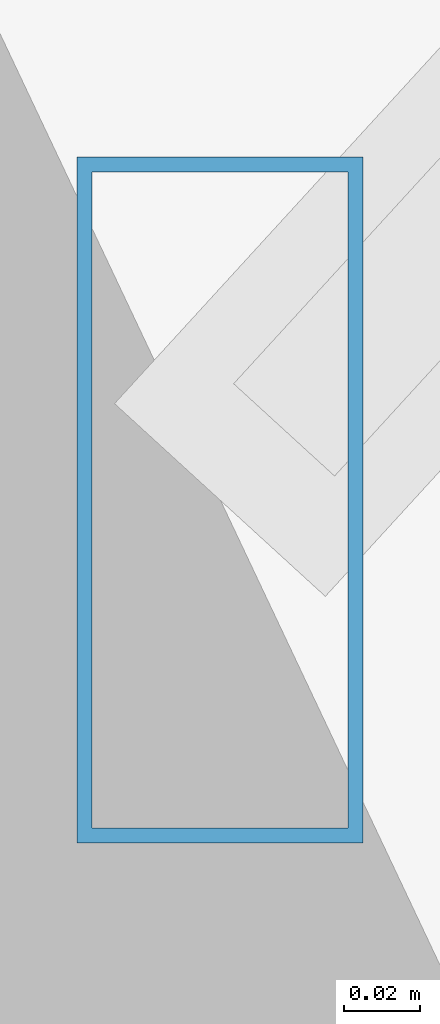
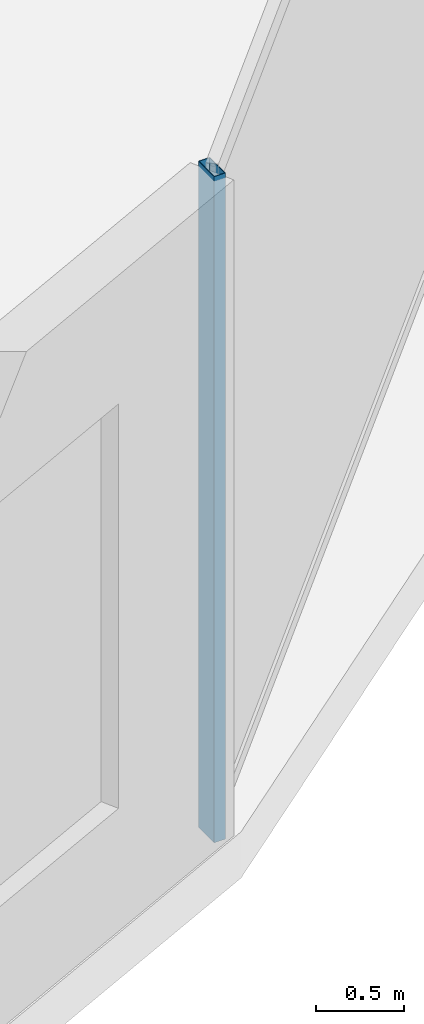
# One storey, part 12 of 32: 1 member, 1 element without a shape of its own.
"""IFC4 building model written with IfcOpenShell, lengths in metres."""

import ifcopenshell
import ifcopenshell.guid

model = None  # the IFC model being written
_history = None  # IfcOwnerHistory: only IFC2X3 demands one
_inside = {}  # id of a spatial element -> (the spatial element, [elements in it])
_under = {}  # id of a project, library or spatial element -> (it, [spatial elements below it])
_declared = {}  # id of a project -> (the project, [libraries it declares])
_typed = {}  # id of a type object -> (the type object, [elements of that type])
_made_of = {}  # id of a material, layer set ... -> (it, [elements and type objects made of it])


def new_model(schema):
    """Start an empty IFC model of exactly this schema.

    Asked for "IFC4X3", IfcOpenShell would pick the latest addendum, in which some entities
    have other attributes; the version numbers below select the first issue.
    IFC2X3 requires an IfcOwnerHistory on every rooted entity: one is made here for all.
    """
    global model, _history
    if schema == "IFC4X3":
        model = ifcopenshell.file(schema_version=(4, 3, 0, 0))
    else:
        model = ifcopenshell.file(schema=schema)
    _inside.clear()
    _under.clear()
    _declared.clear()
    _typed.clear()
    _made_of.clear()
    _history = None
    if model.schema == "IFC2X3":
        org = make("IfcOrganization", Name="unknown")
        user = make(
            "IfcPersonAndOrganization",
            ThePerson=make("IfcPerson", FamilyName="unknown"),
            TheOrganization=org,
        )
        app = make(
            "IfcApplication",
            ApplicationDeveloper=org,
            Version="unknown",
            ApplicationFullName="unknown",
            ApplicationIdentifier="unknown",
        )
        _history = make(
            "IfcOwnerHistory",
            OwningUser=user,
            OwningApplication=app,
            ChangeAction="ADDED",
            CreationDate=0,
        )
    return model


def make(cls, **values):
    """One entity of the class cls with the attributes given. An attribute that is None is left unset."""
    return model.create_entity(
        cls, **{name: value for name, value in values.items() if value is not None}
    )


def rooted(cls, **values):
    """An entity with a GlobalId (a new one), such as an element, a storey or a relation."""
    return make(cls, GlobalId=ifcopenshell.guid.new(), OwnerHistory=_history, **values)


def si_unit(unit_type, name, prefix=None):
    """IfcSIUnit, for example si_unit("LENGTHUNIT", "METRE", prefix="MILLI")."""
    return make("IfcSIUnit", UnitType=unit_type, Prefix=prefix, Name=name)


def assignment(units):
    """IfcUnitAssignment: the units of a project."""
    return None if units is None else make("IfcUnitAssignment", Units=units)


def point(xyz):
    """IfcCartesianPoint."""
    return None if xyz is None else make("IfcCartesianPoint", Coordinates=xyz)


def direction(xyz):
    """IfcDirection."""
    return None if xyz is None else make("IfcDirection", DirectionRatios=xyz)


def frame(location, z_axis=None, x_axis=None):
    """IfcAxis2Placement3D, a coordinate frame: its origin and axes. An axis left out is left unset."""
    return make(
        "IfcAxis2Placement3D",
        Location=point(location),
        Axis=direction(z_axis),
        RefDirection=direction(x_axis),
    )


def frame_2d(location, x_axis=None):
    """IfcAxis2Placement2D, a coordinate frame in the plane: its origin and x axis."""
    return make(
        "IfcAxis2Placement2D", Location=point(location), RefDirection=direction(x_axis)
    )


def origin():
    """The frame at (0, 0, 0) with its axes left unset."""
    return frame((0.0, 0.0, 0.0))


def origin_2d():
    """The frame at (0, 0) in the plane with its x axis left unset."""
    return frame_2d((0.0, 0.0))


def place(relative_to, where):
    """IfcLocalPlacement: puts the frame where relative to a parent placement (None: the world)."""
    return make(
        "IfcLocalPlacement", PlacementRelTo=relative_to, RelativePlacement=where
    )


def context(
    kind, dimensions, precision=None, world=None, true_north=None, identifier=None
):
    """IfcGeometricRepresentationContext, for example the 3D "Model" context."""
    return make(
        "IfcGeometricRepresentationContext",
        ContextIdentifier=identifier,
        ContextType=kind,
        CoordinateSpaceDimension=dimensions,
        Precision=precision,
        WorldCoordinateSystem=world,
        TrueNorth=true_north,
    )


def subcontext(parent, identifier, kind, view, scale=None):
    """IfcGeometricRepresentationSubContext, for example "Body" below "Model"."""
    return make(
        "IfcGeometricRepresentationSubContext",
        ContextIdentifier=identifier,
        ContextType=kind,
        ParentContext=parent,
        TargetScale=scale,
        TargetView=view,
    )


def project(units=None, contexts=None):
    """IfcProject with its units and contexts."""
    return rooted(
        "IfcProject",
        Name="project",
        RepresentationContexts=contexts,
        UnitsInContext=assignment(units),
    )


def spatial(cls, under=None, at=None, **own):
    """A site, building, storey or space (cls), placed at a placement, below another one or the project."""
    s = rooted(cls, ObjectPlacement=at, **own)
    if under is not None:
        _under.setdefault(under.id(), (under, []))[1].append(s)
    return s


def profile(cls, at=None, kind="AREA", **sizes):
    """A parametric profile (cls). Its sizes go by their IFC names, for example OverallWidth=200.0."""
    return make(cls, ProfileType=kind, Position=at, **sizes)


def hollow_rectangle(**sizes):
    """IfcRectangleHollowProfileDef."""
    return profile("IfcRectangleHollowProfileDef", **sizes)


def extrude(swept, where, along, depth):
    """IfcExtrudedAreaSolid: the profile swept, set in the frame where, extruded along a direction by depth."""
    return make(
        "IfcExtrudedAreaSolid",
        SweptArea=swept,
        Position=where,
        ExtrudedDirection=direction(along),
        Depth=depth,
    )


def shape(context_of_items, identifier, shape_type, items):
    """IfcShapeRepresentation: the items that make up one representation, for example the "Body"."""
    return make(
        "IfcShapeRepresentation",
        ContextOfItems=context_of_items,
        RepresentationIdentifier=identifier,
        RepresentationType=shape_type,
        Items=items,
    )


def material(Name=None, Category=None):
    """IfcMaterial."""
    return make("IfcMaterial", Name=Name, Category=Category)


def material_profile(
    of_material, cross_section, Name=None, Category=None, Priority=None
):
    """IfcMaterialProfile: a cross section and its material."""
    return make(
        "IfcMaterialProfile",
        Name=Name,
        Material=of_material,
        Profile=cross_section,
        Priority=Priority,
        Category=Category,
    )


def profile_set(profiles, Name=None, composite=None):
    """IfcMaterialProfileSet."""
    return make(
        "IfcMaterialProfileSet",
        Name=Name,
        MaterialProfiles=profiles,
        CompositeProfile=composite,
    )


def made_of(thing, what):
    """Note that an element or type object is made of a material, layer set ...; save() writes the relation."""
    if what is not None:
        _made_of.setdefault(what.id(), (what, []))[1].append(thing)
    return thing


def type_object(cls, material=None, **own):
    """A type object (cls), such as IfcWallType, which elements share."""
    return made_of(rooted(cls, **own), material)


def element(
    cls,
    number,
    at=None,
    inside=None,
    cuts=None,
    type_object=None,
    material=None,
    context=None,
    identifier="Body",
    shape_type=None,
    held_by="IfcProductDefinitionShape",
    body=None,
    shapes=None,
    **own,
):
    """One element of the class cls, such as IfcWall. Its Tag is "e" and its number.

    at: its placement. inside: the storey or other place that contains it. cuts: it is an
    opening in that element (IfcRelVoidsElement). A single representation is given by context,
    identifier, shape_type and body (its items); several are given by shapes. held_by: the class
    of the entity that holds the representations. save() writes the other relations.
    """
    e = rooted(cls, Tag="e%d" % number, ObjectPlacement=at, **own)
    if body is not None:
        shapes = [shape(context, identifier, shape_type, body)]
    if shapes is not None:
        e.Representation = make(held_by, Representations=shapes)
    if inside is not None:
        _inside.setdefault(inside.id(), (inside, []))[1].append(e)
    if cuts is not None:
        rooted(
            "IfcRelVoidsElement", RelatingBuildingElement=cuts, RelatedOpeningElement=e
        )
    if type_object is not None:
        _typed.setdefault(type_object.id(), (type_object, []))[1].append(e)
    return made_of(e, material)


def aggregate(whole, parts):
    """IfcRelAggregates: a whole, such as a stair, and the parts it consists of."""
    return rooted("IfcRelAggregates", RelatingObject=whole, RelatedObjects=parts)


def save(model, path):
    """Write the relations noted so far, then the file.

    IfcRelAggregates (storeys below a building ...), IfcRelContainedInSpatialStructure (elements
    in a storey), IfcRelDefinesByType, IfcRelAssociatesMaterial and IfcRelDeclares: one each for
    every whole, place, type object, material and project.
    """
    for whole, parts in _under.values():
        aggregate(whole, parts)
    for where, things in _inside.values():
        rooted(
            "IfcRelContainedInSpatialStructure",
            RelatedElements=things,
            RelatingStructure=where,
        )
    for kind, things in _typed.values():
        rooted("IfcRelDefinesByType", RelatedObjects=things, RelatingType=kind)
    for what, things in _made_of.values():
        rooted("IfcRelAssociatesMaterial", RelatedObjects=things, RelatingMaterial=what)
    for by, libraries in _declared.values():
        rooted("IfcRelDeclares", RelatingContext=by, RelatedDefinitions=libraries)
    model.write(path)


model = new_model("IFC4")

# Units and contexts
model_context = context("Model", 3, precision=1e-05, world=origin(), true_north=direction((0.0, 1.0)))
body_context = subcontext(model_context, "Body", "Model", "MODEL_VIEW")
ifc_project = project(units=[si_unit("LENGTHUNIT", "METRE"), si_unit("AREAUNIT", "SQUARE_METRE"), si_unit("VOLUMEUNIT", "CUBIC_METRE"), si_unit("PLANEANGLEUNIT", "RADIAN"), si_unit("MASSUNIT", "GRAM", prefix="KILO")], contexts=[model_context])

# Site, building, storey
site_placement = place(None, origin())
site = spatial("IfcSite", under=ifc_project, at=site_placement, CompositionType="ELEMENT")
building_placement = place(site_placement, origin())
building = spatial("IfcBuilding", under=site, at=building_placement, Name="Vorneva Point Tower", CompositionType="ELEMENT")
storey_placement = place(building_placement, frame((0.0, 0.0, 19.199951171875)))
storey = spatial("IfcBuildingStorey", under=building, at=storey_placement, Name="L04", CompositionType="ELEMENT", Elevation=19.199951171875)

# Curtain wall, member
ifc_material = material(Name="Pale anodised aluminium", Category="aluminium")
curtain_wall_type = type_object("IfcCurtainWallType", Name="CW-POD-SYS", PredefinedType="NOTDEFINED", material=ifc_material)
curtain_wall_placement = place(storey_placement, origin())
curtain_wall = element("IfcCurtainWall", 1, at=curtain_wall_placement, inside=storey, type_object=curtain_wall_type, Name="L04 Unitised Curtain Wall CW-L04-R01", PredefinedType="NOTDEFINED")
ifc_material_profile = material_profile(ifc_material, hollow_rectangle(XDim=0.074951171875, YDim=0.179931640625, WallThickness=0.00390625, at=origin_2d()), Name="AL-MUL 180x75x4")
ifc_profile_set = profile_set([ifc_material_profile], Name="Pale anodised aluminium")
member_type = type_object("IfcMemberType", Name="CW-MUL-180", PredefinedType="MULLION", material=ifc_profile_set)
member_placement = place(storey_placement, frame((65.418701171875, 7.278076171875, -0.0400390625), z_axis=(0.0, 0.0, 1.0), x_axis=(1.0, 0.0, 0.0)))
member = element("IfcMember", 2, at=member_placement, type_object=member_type, Name="CW-L04-R01 Mullion 01", PredefinedType="MULLION", context=body_context, shape_type="SweptSolid", body=[
    extrude(hollow_rectangle(XDim=0.074951171875, YDim=0.179931640625, WallThickness=0.00390625, at=origin_2d()), origin(), (0.0, 0.0, 1.0), 4.610107421875),
])
aggregate(curtain_wall, [member])

save(model, "model.ifc")
